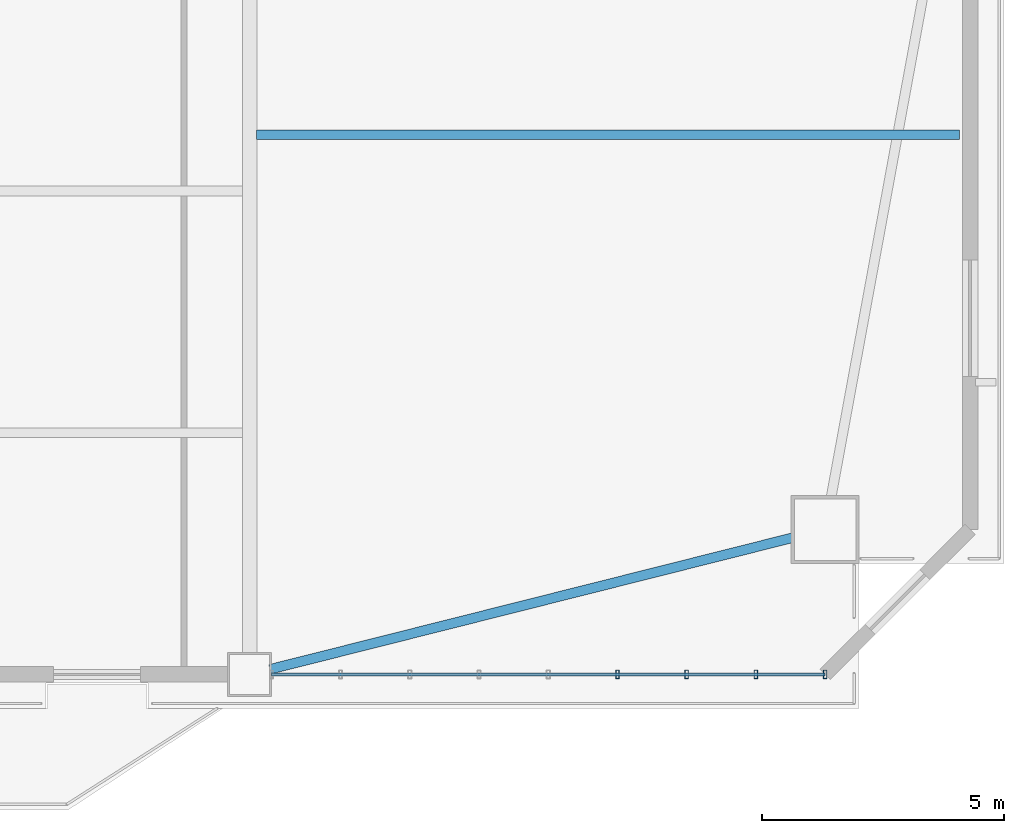
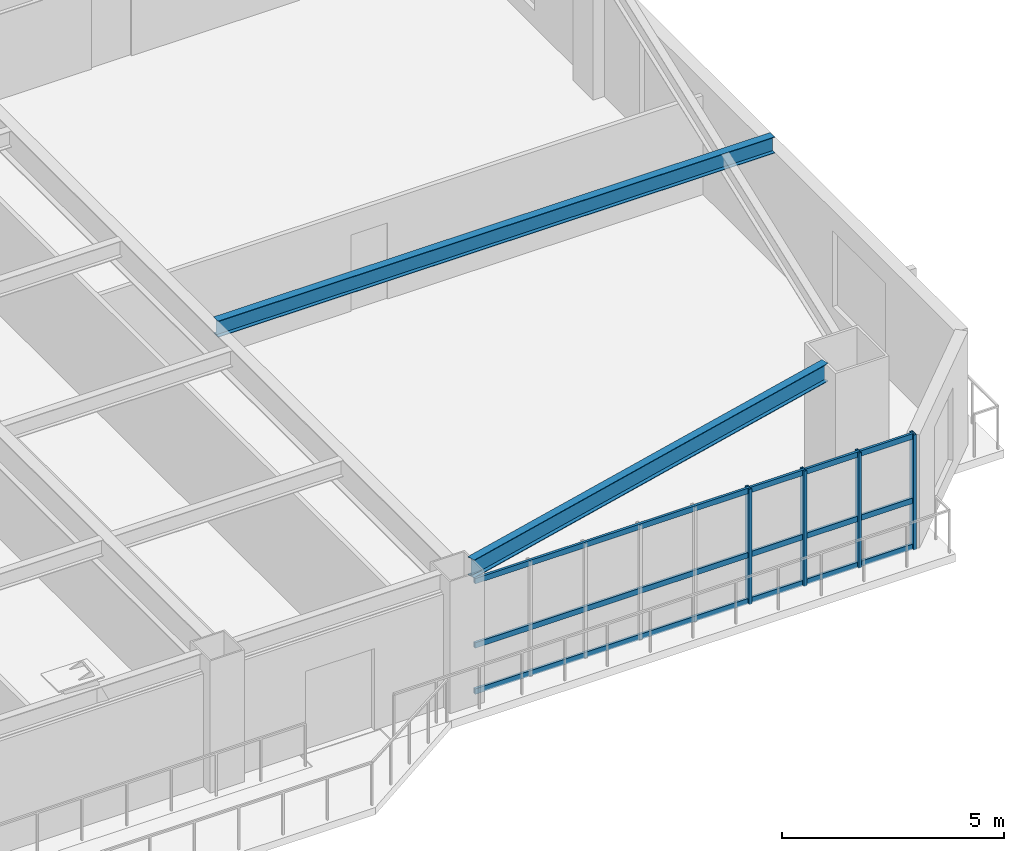
# One storey, part 5 of 15: 7 members, 2 beams, 1 element without a shape of its own.
"""IFC4 building model written with IfcOpenShell, lengths in metres."""

from ifc_helpers import new_model, si_unit, direction, frame, origin, origin_2d, place, context, subcontext, project, spatial, hollow_rectangle, i_section, extrude, source, transform, mapped, material, layer, layer_set, material_profile, profile_set, type_object, element, aggregate, save


model = new_model("IFC4")

# Units and contexts
model_context = context("Model", 3, precision=1e-05, world=origin(), true_north=direction((0.0, 1.0)))
body_context = subcontext(model_context, "Body", "Model", "MODEL_VIEW")
ifc_project = project(units=[si_unit("LENGTHUNIT", "METRE"), si_unit("AREAUNIT", "SQUARE_METRE"), si_unit("VOLUMEUNIT", "CUBIC_METRE"), si_unit("PLANEANGLEUNIT", "RADIAN"), si_unit("MASSUNIT", "GRAM", prefix="KILO")], contexts=[model_context])

# Site, building, storey
site_placement = place(None, origin())
site = spatial("IfcSite", under=ifc_project, at=site_placement, CompositionType="ELEMENT")
building_placement = place(site_placement, origin())
building = spatial("IfcBuilding", under=site, at=building_placement, Name="Giltprow Tower", CompositionType="ELEMENT")
storey_placement = place(building_placement, frame((0.0, 0.0, 127.0)))
storey = spatial("IfcBuildingStorey", under=building, at=storey_placement, Name="L31", CompositionType="ELEMENT", Elevation=127.0)

# Beams
ifc_material_1 = material(Name="Structural steel Q355B", Category="steel")
ifc_material_profile_1 = material_profile(ifc_material_1, i_section(OverallWidth=0.199951171875, OverallDepth=0.5, WebThickness=0.010009765625, FlangeThickness=0.01611328125, at=origin_2d()), Name="HN 500x200x10x16")
ifc_profile_set_1 = profile_set([ifc_material_profile_1], Name="Structural steel Q355B")
beam_type_1 = type_object("IfcBeamType", Name="BM-SPAN-HN500", PredefinedType="SPANDREL", material=ifc_profile_set_1)
shared_shape_1 = source(origin(), body_context, "Body", "SweptSolid", [
    extrude(i_section(OverallWidth=0.199951171875, OverallDepth=0.5, WebThickness=0.010009765625, FlangeThickness=0.01611328125, at=origin_2d()), origin(), (0.0, 0.0, 1.0), 11.131103515625),
])
beam_1_placement = place(storey_placement, frame((50.971923828125, 7.6240234375, 3.389892578125), z_axis=(0.96972953457, 0.244181550864, 0.0), x_axis=(-0.244181550864, 0.96972953457, 0.0)))
element("IfcBeam", 1, at=beam_1_placement, inside=storey, type_object=beam_type_1, Name="L31 Perimeter Spandrel Beam S4-MC_SE", PredefinedType="SPANDREL", context=body_context, shape_type="MappedRepresentation", body=[
    mapped(shared_shape_1, transform((0.0, 0.0, 0.0), x_axis=(1.0, 0.0, 0.0), y_axis=(0.0, 1.0, 0.0), z_axis=(0.0, 0.0, 1.0), scale=1.0)),
])
ifc_material_profile_2 = material_profile(ifc_material_1, i_section(OverallWidth=0.199951171875, OverallDepth=0.449951171875, WebThickness=0.009033203125, FlangeThickness=0.013916015625, at=origin_2d()), Name="HN 450x200x9x14")
ifc_profile_set_2 = profile_set([ifc_material_profile_2], Name="Structural steel Q355B")
beam_type_2 = type_object("IfcBeamType", Name="BM-JOIST-HN450", PredefinedType="JOIST", material=ifc_profile_set_2)
shared_shape_2 = source(origin(), body_context, "Body", "SweptSolid", [
    extrude(i_section(OverallWidth=0.199951171875, OverallDepth=0.449951171875, WebThickness=0.009033203125, FlangeThickness=0.013916015625, at=origin_2d()), origin(), (0.0, 0.0, 1.0), 14.505859375),
])
beam_2_placement = place(storey_placement, frame((50.695068359375, 18.658935546875, 3.4150390625), z_axis=(1.0, 0.0, 0.0), x_axis=(0.0, 1.0, 0.0)))
element("IfcBeam", 2, at=beam_2_placement, inside=storey, type_object=beam_type_2, Name="L31 East Wing Floor Joist 1", PredefinedType="JOIST", context=body_context, shape_type="MappedRepresentation", body=[
    mapped(shared_shape_2, transform((0.0, 0.0, 0.0), x_axis=(1.0, 0.0, 0.0), y_axis=(0.0, 1.0, 0.0), z_axis=(0.0, 0.0, 1.0), scale=1.0)),
])

# Curtain wall, members
ifc_material_2 = material(Name="Anodized bronze", Category="metal")
ifc_layer = layer(ifc_material_2, 0.179931640625, Name="Anodized bronze")
ifc_layer_set = layer_set([ifc_layer], Name="Anodized bronze")
curtain_wall_type = type_object("IfcCurtainWallType", Name="CW-OFF-RECESSED", PredefinedType="NOTDEFINED", material=ifc_layer_set)
curtain_wall_placement = place(storey_placement, origin())
curtain_wall = element("IfcCurtainWall", 3, at=curtain_wall_placement, inside=storey, type_object=curtain_wall_type, Name="L31 South Recessed Curtain Wall 6", PredefinedType="NOTDEFINED")
ifc_material_profile_3 = material_profile(ifc_material_2, hollow_rectangle(XDim=0.074951171875, YDim=0.179931640625, WallThickness=0.008056640625, at=origin_2d()), Name="RHS 180x75x8")
ifc_profile_set_3 = profile_set([ifc_material_profile_3], Name="Anodized bronze")
member_type_1 = type_object("IfcMemberType", Name="CW-MULLION-180x75", PredefinedType="MULLION", material=ifc_profile_set_3)
shared_shape_3 = source(origin(), body_context, "Body", "SweptSolid", [
    extrude(hollow_rectangle(XDim=0.074951171875, YDim=0.179931640625, WallThickness=0.008056640625, at=origin_2d()), origin(), (0.0, 0.0, 1.0), 3.175048828125),
])
member_1_placement = place(storey_placement, frame((58.14404296875, 7.51806640625, -0.02001953125), z_axis=(0.0, 0.0, 1.0), x_axis=(1.0, 0.0, 0.0)))
member_1 = element("IfcMember", 4, at=member_1_placement, type_object=member_type_1, Name="L31 South Recessed Curtain Wall 6 Mullion 6", PredefinedType="MULLION", context=body_context, shape_type="MappedRepresentation", body=[
    mapped(shared_shape_3, transform((0.0, 0.0, 0.0), x_axis=(1.0, 0.0, 0.0), y_axis=(0.0, 1.0, 0.0), z_axis=(0.0, 0.0, 1.0), scale=1.0)),
])
member_2_placement = place(storey_placement, frame((59.572021484375, 7.51806640625, -0.02001953125), z_axis=(0.0, 0.0, 1.0), x_axis=(1.0, 0.0, 0.0)))
member_2 = element("IfcMember", 5, at=member_2_placement, type_object=member_type_1, Name="L31 South Recessed Curtain Wall 6 Mullion 7", PredefinedType="MULLION", context=body_context, shape_type="MappedRepresentation", body=[
    mapped(shared_shape_3, transform((0.0, 0.0, 0.0), x_axis=(1.0, 0.0, 0.0), y_axis=(0.0, 1.0, 0.0), z_axis=(0.0, 0.0, 1.0), scale=1.0)),
])
member_3_placement = place(storey_placement, frame((61.0009765625, 7.51806640625, -0.02001953125), z_axis=(0.0, 0.0, 1.0), x_axis=(1.0, 0.0, 0.0)))
member_3 = element("IfcMember", 6, at=member_3_placement, type_object=member_type_1, Name="L31 South Recessed Curtain Wall 6 Mullion 8", PredefinedType="MULLION", context=body_context, shape_type="MappedRepresentation", body=[
    mapped(shared_shape_3, transform((0.0, 0.0, 0.0), x_axis=(1.0, 0.0, 0.0), y_axis=(0.0, 1.0, 0.0), z_axis=(0.0, 0.0, 1.0), scale=1.0)),
])
member_4_placement = place(storey_placement, frame((62.429931640625, 7.51806640625, -0.02001953125), z_axis=(0.0, 0.0, 1.0), x_axis=(1.0, 0.0, 0.0)))
member_4 = element("IfcMember", 7, at=member_4_placement, type_object=member_type_1, Name="L31 South Recessed Curtain Wall 6 Mullion 9", PredefinedType="MULLION", context=body_context, shape_type="MappedRepresentation", body=[
    mapped(shared_shape_3, transform((0.0, 0.0, 0.0), x_axis=(1.0, 0.0, 0.0), y_axis=(0.0, 1.0, 0.0), z_axis=(0.0, 0.0, 1.0), scale=1.0)),
])
ifc_material_profile_4 = material_profile(ifc_material_2, hollow_rectangle(XDim=0.06494140625, YDim=0.14990234375, WallThickness=0.006103515625, at=origin_2d()), Name="RHS 150x65x6")
ifc_profile_set_4 = profile_set([ifc_material_profile_4], Name="Anodized bronze")
member_type_2 = type_object("IfcMemberType", Name="CW-TRANSOM-150x65", PredefinedType="USERDEFINED", material=ifc_profile_set_4)
shared_shape_4 = source(origin(), body_context, "Body", "SweptSolid", [
    extrude(hollow_rectangle(XDim=0.06494140625, YDim=0.14990234375, WallThickness=0.006103515625, at=origin_2d()), origin(), (0.0, 0.0, 1.0), 11.429931640625),
])
member_5_placement = place(storey_placement, frame((51.0, 7.51806640625, 0.0400390625), z_axis=(1.0, 0.0, 0.0), x_axis=(0.0, 1.0, 0.0)))
member_5 = element("IfcMember", 8, at=member_5_placement, type_object=member_type_2, Name="L31 South Recessed Curtain Wall 6 Transom 1", ObjectType="TRANSOM", PredefinedType="USERDEFINED", context=body_context, shape_type="MappedRepresentation", body=[
    mapped(shared_shape_4, transform((0.0, 0.0, 0.0), x_axis=(1.0, 0.0, 0.0), y_axis=(0.0, 1.0, 0.0), z_axis=(0.0, 0.0, 1.0), scale=1.0)),
])
member_6_placement = place(storey_placement, frame((51.0, 7.51806640625, 1.31005859375), z_axis=(1.0, 0.0, 0.0), x_axis=(0.0, 1.0, 0.0)))
member_6 = element("IfcMember", 9, at=member_6_placement, type_object=member_type_2, Name="L31 South Recessed Curtain Wall 6 Transom 2", ObjectType="TRANSOM", PredefinedType="USERDEFINED", context=body_context, shape_type="MappedRepresentation", body=[
    mapped(shared_shape_4, transform((0.0, 0.0, 0.0), x_axis=(1.0, 0.0, 0.0), y_axis=(0.0, 1.0, 0.0), z_axis=(0.0, 0.0, 1.0), scale=1.0)),
])
member_7_placement = place(storey_placement, frame((51.0, 7.51806640625, 3.080078125), z_axis=(1.0, 0.0, 0.0), x_axis=(0.0, 1.0, 0.0)))
member_7 = element("IfcMember", 10, at=member_7_placement, type_object=member_type_2, Name="L31 South Recessed Curtain Wall 6 Transom 3", ObjectType="TRANSOM", PredefinedType="USERDEFINED", context=body_context, shape_type="MappedRepresentation", body=[
    mapped(shared_shape_4, transform((0.0, 0.0, 0.0), x_axis=(1.0, 0.0, 0.0), y_axis=(0.0, 1.0, 0.0), z_axis=(0.0, 0.0, 1.0), scale=1.0)),
])
aggregate(curtain_wall, [member_1, member_2, member_3, member_4, member_5, member_6, member_7])

save(model, "model.ifc")
